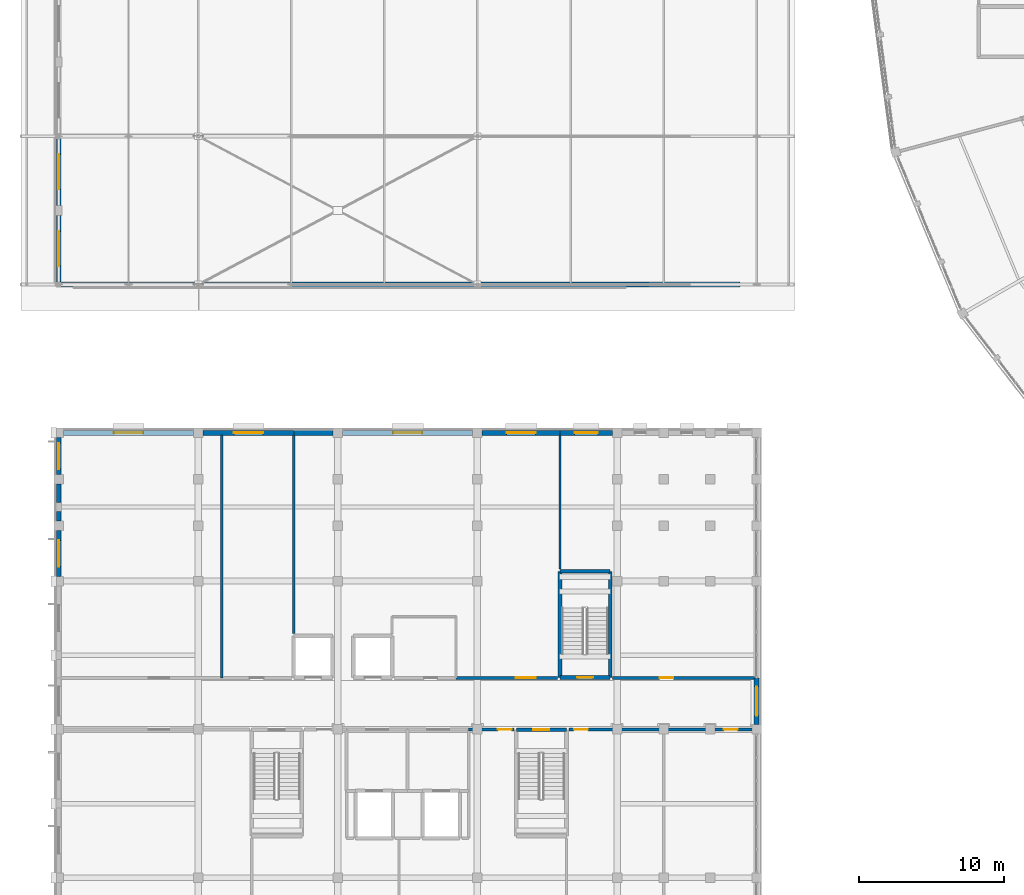
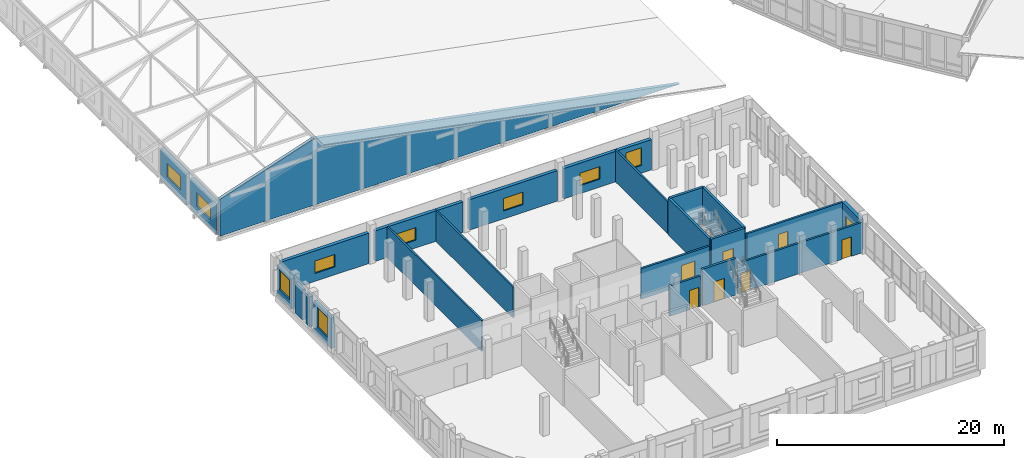
# One storey, part 179 of 200: 26 walls, 10 windows, 7 doors, 17 openings.
"""IFC4 building model written with IfcOpenShell, lengths in metres."""

from ifc_helpers import new_model, si_unit, direction, frame, frame_2d, origin, place, context, subcontext, project, spatial, polyline, rectangle, outline, extrude, material, layer, layer_set, type_object, element, fill, save


model = new_model("IFC4")

# Units and contexts
model_context = context("Model", 3, precision=1e-05, world=origin(), true_north=direction((0.0, 1.0)))
body_context = subcontext(model_context, "Body", "Model", "MODEL_VIEW")
ifc_project = project(units=[si_unit("LENGTHUNIT", "METRE"), si_unit("AREAUNIT", "SQUARE_METRE"), si_unit("VOLUMEUNIT", "CUBIC_METRE"), si_unit("PLANEANGLEUNIT", "RADIAN"), si_unit("MASSUNIT", "GRAM", prefix="KILO")], contexts=[model_context])

# Site, building, storey
site_placement = place(None, origin())
site = spatial("IfcSite", under=ifc_project, at=site_placement, CompositionType="ELEMENT")
building_placement = place(site_placement, origin())
building = spatial("IfcBuilding", under=site, at=building_placement, Name="Vondelvale Polytechnic", CompositionType="ELEMENT")
storey_placement = place(building_placement, frame((0.0, 0.0, 13.800048828125)))
storey = spatial("IfcBuildingStorey", under=building, at=storey_placement, Name="L03", CompositionType="ELEMENT", Elevation=13.800048828125)

# Wall, opening, window
ifc_material_1 = material(Name="Amsterdam School iron-spot clinker clay brickwork", Category="masonry")
ifc_layer_1 = layer(ifc_material_1, 0.340087890625)
ifc_layer_set_1 = layer_set([ifc_layer_1], Name="WL-BRICK-340")
wall_type_1 = type_object("IfcWallType", Name="WL-BRICK-340", PredefinedType="SOLIDWALL", material=ifc_layer_set_1)
wall_1_placement = place(storey_placement, frame((0.0, 51.16455078125, 0.0), z_axis=(0.0, 0.0, 1.0), x_axis=(0.0, 1.0, 0.0)))
wall_1 = element("IfcWall", 1, at=wall_1_placement, inside=storey, type_object=wall_type_1, Name="L03 exterior masonry facade wall", PredefinedType="SOLIDWALL", context=body_context, shape_type="SweptSolid", body=[
    extrude(rectangle(XDim=4.58447265625, YDim=0.340087890625, at=frame_2d((2.292236328125, 0.0))), origin(), (0.0, 0.0, 1.0), 3.370849609375),
])
opening_1_placement = place(wall_1_placement, frame((1.09228515625, 0.0, 0.949951171875)))
opening_1 = element("IfcOpeningElement", 2, at=opening_1_placement, cuts=wall_1, Name="Opening WN-0120", PredefinedType="OPENING", context=body_context, shape_type="SweptSolid", body=[
    extrude(rectangle(XDim=2.39990234375, YDim=1.5, at=frame_2d((1.199951171875, 0.75))), frame((0.0, 0.179931640625, 0.0), z_axis=(0.0, -1.0, 0.0), x_axis=(1.0, 0.0, 0.0)), (0.0, 0.0, 1.0), 0.360107421875),
])
ifc_material_2 = material(Name="Double-glazed low-E insulated architectural glass", Category="glass")
window_type_1 = type_object("IfcWindowType", Name="WN-RIB-2400x1500", PartitioningType="SINGLE_PANEL", PredefinedType="WINDOW", material=ifc_material_2)
window_1_placement = place(opening_1_placement, origin())
window_1 = element("IfcWindow", 3, at=window_1_placement, inside=storey, type_object=window_type_1, Name="L03 double-glazed architectural window WN-0120", OverallHeight=1.5, OverallWidth=2.39990234375, PartitioningType="SINGLE_PANEL", PredefinedType="WINDOW", context=body_context, shape_type="SweptSolid", body=[
    extrude(rectangle(XDim=2.39990234375, YDim=1.5, at=frame_2d((1.199951171875, 0.75))), frame((0.0, 0.030029296875, 0.0), z_axis=(0.0, -1.0, 0.0), x_axis=(1.0, 0.0, 0.0)), (0.0, 0.0, 1.0), 0.06005859375),
])
fill(opening_1, window_1)

wall_2_placement = place(storey_placement, frame((0.0, 56.450927734375, 0.0), z_axis=(0.0, 0.0, 1.0), x_axis=(0.0, 1.0, 0.0)))
wall_2 = element("IfcWall", 4, at=wall_2_placement, inside=storey, type_object=wall_type_1, Name="L03 exterior masonry facade wall", PredefinedType="SOLIDWALL", context=body_context, shape_type="SweptSolid", body=[
    extrude(rectangle(XDim=4.58447265625, YDim=0.340087890625, at=frame_2d((2.292236328125, 0.0))), origin(), (0.0, 0.0, 1.0), 3.370849609375),
])
opening_2_placement = place(wall_2_placement, frame((1.09228515625, 0.0, 0.949951171875)))
opening_2 = element("IfcOpeningElement", 5, at=opening_2_placement, cuts=wall_2, Name="Opening WN-0121", PredefinedType="OPENING", context=body_context, shape_type="SweptSolid", body=[
    extrude(rectangle(XDim=2.39990234375, YDim=1.5, at=frame_2d((1.199951171875, 0.75))), frame((0.0, 0.179931640625, 0.0), z_axis=(0.0, -1.0, 0.0), x_axis=(1.0, 0.0, 0.0)), (0.0, 0.0, 1.0), 0.360107421875),
])
window_2_placement = place(opening_2_placement, origin())
window_2 = element("IfcWindow", 6, at=window_2_placement, inside=storey, type_object=window_type_1, Name="L03 double-glazed architectural window WN-0121", OverallHeight=1.5, OverallWidth=2.39990234375, PartitioningType="SINGLE_PANEL", PredefinedType="WINDOW", context=body_context, shape_type="SweptSolid", body=[
    extrude(rectangle(XDim=2.39990234375, YDim=1.5, at=frame_2d((1.199951171875, 0.75))), frame((0.0, 0.030029296875, 0.0), z_axis=(0.0, -1.0, 0.0), x_axis=(1.0, 0.0, 0.0)), (0.0, 0.0, 1.0), 0.06005859375),
])
fill(opening_2, window_2)

wall_3_placement = place(storey_placement, frame((0.0, 30.926025390625, 0.0), z_axis=(0.0, 0.0, 1.0), x_axis=(0.0, 1.0, 0.0)))
wall_3 = element("IfcWall", 7, at=wall_3_placement, inside=storey, type_object=wall_type_1, Name="L03 exterior masonry facade wall", PredefinedType="SOLIDWALL", context=body_context, shape_type="SweptSolid", body=[
    extrude(rectangle(XDim=3.14794921875, YDim=0.340087890625, at=frame_2d((1.573974609375, 0.0))), origin(), (0.0, 0.0, 1.0), 3.280029296875),
])
opening_3_placement = place(wall_3_placement, frame((0.674072265625, 0.0, 0.85009765625)))
opening_3 = element("IfcOpeningElement", 8, at=opening_3_placement, cuts=wall_3, Name="Opening WN-0220", PredefinedType="OPENING", context=body_context, shape_type="SweptSolid", body=[
    extrude(rectangle(XDim=1.800048828125, YDim=2.10009765625, at=frame_2d((0.89990234375, 1.050048828125))), frame((0.0, 0.179931640625, 0.0), z_axis=(0.0, -1.0, 0.0), x_axis=(1.0, 0.0, 0.0)), (0.0, 0.0, 1.0), 0.360107421875),
])
window_type_2 = type_object("IfcWindowType", Name="WN-LAB-1800x2100", PartitioningType="SINGLE_PANEL", PredefinedType="WINDOW", material=ifc_material_2)
window_3_placement = place(opening_3_placement, origin())
window_3 = element("IfcWindow", 9, at=window_3_placement, inside=storey, type_object=window_type_2, Name="L03 double-glazed architectural window WN-0220", OverallHeight=2.10009765625, OverallWidth=1.800048828125, PartitioningType="SINGLE_PANEL", PredefinedType="WINDOW", context=body_context, shape_type="SweptSolid", body=[
    extrude(rectangle(XDim=1.800048828125, YDim=2.10009765625, at=frame_2d((0.89990234375, 1.050048828125))), frame((0.0, 0.030029296875, 0.0), z_axis=(0.0, -1.0, 0.0), x_axis=(1.0, 0.0, 0.0)), (0.0, 0.0, 1.0), 0.06005859375),
])
fill(opening_3, window_3)

# Walls
wall_4_placement = place(storey_placement, frame((0.0, 34.72607421875, 0.0), z_axis=(0.0, 0.0, 1.0), x_axis=(0.0, 1.0, 0.0)))
element("IfcWall", 10, at=wall_4_placement, inside=storey, type_object=wall_type_1, Name="L03 exterior masonry facade wall", PredefinedType="SOLIDWALL", context=body_context, shape_type="SweptSolid", body=[
    extrude(rectangle(XDim=0.6728515625, YDim=0.340087890625, at=frame_2d((0.33642578125, 0.0))), origin(), (0.0, 0.0, 1.0), 3.280029296875),
])
wall_5_placement = place(storey_placement, frame((0.0, 36.0009765625, 0.0), z_axis=(0.0, 0.0, 1.0), x_axis=(0.0, 1.0, 0.0)))
element("IfcWall", 11, at=wall_5_placement, inside=storey, type_object=wall_type_1, Name="L03 exterior masonry facade wall", PredefinedType="SOLIDWALL", context=body_context, shape_type="SweptSolid", body=[
    extrude(rectangle(XDim=1.27294921875, YDim=0.340087890625, at=frame_2d((0.636474609375, 0.0))), origin(), (0.0, 0.0, 1.0), 3.280029296875),
])

# Wall, opening, window
wall_6_placement = place(storey_placement, frame((0.0, 37.926025390625, 0.0), z_axis=(0.0, 0.0, 1.0), x_axis=(0.0, 1.0, 0.0)))
wall_6 = element("IfcWall", 12, at=wall_6_placement, inside=storey, type_object=wall_type_1, Name="L03 exterior masonry facade wall", PredefinedType="SOLIDWALL", context=body_context, shape_type="SweptSolid", body=[
    extrude(rectangle(XDim=2.548095703125, YDim=0.340087890625, at=frame_2d((1.27392578125, 0.0))), origin(), (0.0, 0.0, 1.0), 3.280029296875),
])
opening_4_placement = place(wall_6_placement, frame((0.3740234375, 0.0, 0.85009765625)))
opening_4 = element("IfcOpeningElement", 13, at=opening_4_placement, cuts=wall_6, Name="Opening WN-0221", PredefinedType="OPENING", context=body_context, shape_type="SweptSolid", body=[
    extrude(rectangle(XDim=1.800048828125, YDim=2.10009765625, at=frame_2d((0.89990234375, 1.050048828125))), frame((0.0, 0.179931640625, 0.0), z_axis=(0.0, -1.0, 0.0), x_axis=(1.0, 0.0, 0.0)), (0.0, 0.0, 1.0), 0.360107421875),
])
window_4_placement = place(opening_4_placement, origin())
window_4 = element("IfcWindow", 14, at=window_4_placement, inside=storey, type_object=window_type_2, Name="L03 double-glazed architectural window WN-0221", OverallHeight=2.10009765625, OverallWidth=1.800048828125, PartitioningType="SINGLE_PANEL", PredefinedType="WINDOW", context=body_context, shape_type="SweptSolid", body=[
    extrude(rectangle(XDim=1.800048828125, YDim=2.10009765625, at=frame_2d((0.89990234375, 1.050048828125))), frame((0.0, 0.030029296875, 0.0), z_axis=(0.0, -1.0, 0.0), x_axis=(1.0, 0.0, 0.0)), (0.0, 0.0, 1.0), 0.06005859375),
])
fill(opening_4, window_4)

wall_7_placement = place(storey_placement, frame((48.0, 23.949951171875, 0.0), z_axis=(0.0, 0.0, 1.0), x_axis=(0.0, -1.0, 0.0)))
wall_7 = element("IfcWall", 15, at=wall_7_placement, inside=storey, type_object=wall_type_1, Name="L03 exterior masonry facade wall", PredefinedType="SOLIDWALL", context=body_context, shape_type="SweptSolid", body=[
    extrude(rectangle(XDim=3.223876953125, YDim=0.340087890625, at=frame_2d((1.61181640625, 0.0))), origin(), (0.0, 0.0, 1.0), 3.280029296875),
])
opening_5_placement = place(wall_7_placement, frame((0.612060546875, 0.0, 0.75)))
opening_5 = element("IfcOpeningElement", 16, at=opening_5_placement, cuts=wall_7, Name="Opening WN-0222", PredefinedType="OPENING", context=body_context, shape_type="SweptSolid", body=[
    extrude(rectangle(XDim=2.0, YDim=1.35009765625, at=frame_2d((1.0, 0.675048828125))), frame((0.0, 0.179931640625, 0.0), z_axis=(0.0, -1.0, 0.0), x_axis=(1.0, 0.0, 0.0)), (0.0, 0.0, 1.0), 0.360107421875),
])
window_type_3 = type_object("IfcWindowType", Name="WN-RIB-2000x1350", PartitioningType="SINGLE_PANEL", PredefinedType="WINDOW", material=ifc_material_2)
window_5_placement = place(opening_5_placement, origin())
window_5 = element("IfcWindow", 17, at=window_5_placement, inside=storey, type_object=window_type_3, Name="L03 double-glazed architectural window WN-0222", OverallHeight=1.35009765625, OverallWidth=2.0, PartitioningType="SINGLE_PANEL", PredefinedType="WINDOW", context=body_context, shape_type="SweptSolid", body=[
    extrude(rectangle(XDim=2.0, YDim=1.35009765625, at=frame_2d((1.0, 0.675048828125))), frame((0.0, 0.030029296875, 0.0), z_axis=(0.0, -1.0, 0.0), x_axis=(1.0, 0.0, 0.0)), (0.0, 0.0, 1.0), 0.06005859375),
])
fill(opening_5, window_5)

wall_8_placement = place(storey_placement, frame((0.325927734375, 40.800048828125, 0.0), z_axis=(0.0, 0.0, 1.0), x_axis=(1.0, 0.0, 0.0)))
wall_8 = element("IfcWall", 18, at=wall_8_placement, inside=storey, type_object=wall_type_1, Name="L03 exterior masonry facade wall", PredefinedType="SOLIDWALL", context=body_context, shape_type="SweptSolid", body=[
    extrude(rectangle(XDim=8.947998046875, YDim=0.340087890625, at=frame_2d((4.47412109375, 0.0))), origin(), (0.0, 0.0, 1.0), 3.280029296875),
])
opening_6_placement = place(wall_8_placement, frame((3.47412109375, 0.0, 0.85009765625)))
opening_6 = element("IfcOpeningElement", 19, at=opening_6_placement, cuts=wall_8, Name="Opening WN-0223", PredefinedType="OPENING", context=body_context, shape_type="SweptSolid", body=[
    extrude(rectangle(XDim=2.0, YDim=1.35009765625, at=frame_2d((1.0, 0.675048828125))), frame((0.0, 0.179931640625, 0.0), z_axis=(0.0, -1.0, 0.0), x_axis=(1.0, 0.0, 0.0)), (0.0, 0.0, 1.0), 0.360107421875),
])
window_6_placement = place(opening_6_placement, origin())
window_6 = element("IfcWindow", 20, at=window_6_placement, inside=storey, type_object=window_type_3, Name="L03 double-glazed architectural window WN-0223", OverallHeight=1.35009765625, OverallWidth=2.0, PartitioningType="SINGLE_PANEL", PredefinedType="WINDOW", context=body_context, shape_type="SweptSolid", body=[
    extrude(rectangle(XDim=2.0, YDim=1.35009765625, at=frame_2d((1.0, 0.675048828125))), frame((0.0, 0.030029296875, 0.0), z_axis=(0.0, -1.0, 0.0), x_axis=(1.0, 0.0, 0.0)), (0.0, 0.0, 1.0), 0.06005859375),
])
fill(opening_6, window_6)

wall_9_placement = place(storey_placement, frame((9.926025390625, 40.800048828125, 0.0), z_axis=(0.0, 0.0, 1.0), x_axis=(1.0, 0.0, 0.0)))
wall_9 = element("IfcWall", 21, at=wall_9_placement, inside=storey, type_object=wall_type_1, Name="L03 exterior masonry facade wall", PredefinedType="SOLIDWALL", context=body_context, shape_type="SweptSolid", body=[
    extrude(rectangle(XDim=6.2490234375, YDim=0.340087890625, at=frame_2d((3.12451171875, 0.0))), origin(), (0.0, 0.0, 1.0), 3.280029296875),
])
opening_7_placement = place(wall_9_placement, frame((2.12451171875, 0.0, 0.85009765625)))
opening_7 = element("IfcOpeningElement", 22, at=opening_7_placement, cuts=wall_9, Name="Opening WN-0224", PredefinedType="OPENING", context=body_context, shape_type="SweptSolid", body=[
    extrude(rectangle(XDim=2.0, YDim=1.35009765625, at=frame_2d((1.0, 0.675048828125))), frame((0.0, 0.179931640625, 0.0), z_axis=(0.0, -1.0, 0.0), x_axis=(1.0, 0.0, 0.0)), (0.0, 0.0, 1.0), 0.360107421875),
])
window_7_placement = place(opening_7_placement, origin())
window_7 = element("IfcWindow", 23, at=window_7_placement, inside=storey, type_object=window_type_3, Name="L03 double-glazed architectural window WN-0224", OverallHeight=1.35009765625, OverallWidth=2.0, PartitioningType="SINGLE_PANEL", PredefinedType="WINDOW", context=body_context, shape_type="SweptSolid", body=[
    extrude(rectangle(XDim=2.0, YDim=1.35009765625, at=frame_2d((1.0, 0.675048828125))), frame((0.0, 0.030029296875, 0.0), z_axis=(0.0, -1.0, 0.0), x_axis=(1.0, 0.0, 0.0)), (0.0, 0.0, 1.0), 0.06005859375),
])
fill(opening_7, window_7)

# Wall
wall_10_placement = place(storey_placement, frame((16.175048828125, 40.800048828125, 0.0), z_axis=(0.0, 0.0, 1.0), x_axis=(1.0, 0.0, 0.0)))
element("IfcWall", 24, at=wall_10_placement, inside=storey, type_object=wall_type_1, Name="L03 exterior masonry facade wall", PredefinedType="SOLIDWALL", context=body_context, shape_type="SweptSolid", body=[
    extrude(rectangle(XDim=2.698974609375, YDim=0.340087890625, at=frame_2d((1.349609375, 0.0))), origin(), (0.0, 0.0, 1.0), 3.280029296875),
])

# Wall, opening, window
wall_11_placement = place(storey_placement, frame((19.52587890625, 40.800048828125, 0.0), z_axis=(0.0, 0.0, 1.0), x_axis=(1.0, 0.0, 0.0)))
wall_11 = element("IfcWall", 25, at=wall_11_placement, inside=storey, type_object=wall_type_1, Name="L03 exterior masonry facade wall", PredefinedType="SOLIDWALL", context=body_context, shape_type="SweptSolid", body=[
    extrude(rectangle(XDim=8.9482421875, YDim=0.340087890625, at=frame_2d((4.47412109375, 0.0))), origin(), (0.0, 0.0, 1.0), 3.280029296875),
])
opening_8_placement = place(wall_11_placement, frame((3.47412109375, 0.0, 0.85009765625)))
opening_8 = element("IfcOpeningElement", 26, at=opening_8_placement, cuts=wall_11, Name="Opening WN-0225", PredefinedType="OPENING", context=body_context, shape_type="SweptSolid", body=[
    extrude(rectangle(XDim=2.0, YDim=1.35009765625, at=frame_2d((1.0, 0.675048828125))), frame((0.0, 0.179931640625, 0.0), z_axis=(0.0, -1.0, 0.0), x_axis=(1.0, 0.0, 0.0)), (0.0, 0.0, 1.0), 0.360107421875),
])
window_8_placement = place(opening_8_placement, origin())
window_8 = element("IfcWindow", 27, at=window_8_placement, inside=storey, type_object=window_type_3, Name="L03 double-glazed architectural window WN-0225", OverallHeight=1.35009765625, OverallWidth=2.0, PartitioningType="SINGLE_PANEL", PredefinedType="WINDOW", context=body_context, shape_type="SweptSolid", body=[
    extrude(rectangle(XDim=2.0, YDim=1.35009765625, at=frame_2d((1.0, 0.675048828125))), frame((0.0, 0.030029296875, 0.0), z_axis=(0.0, -1.0, 0.0), x_axis=(1.0, 0.0, 0.0)), (0.0, 0.0, 1.0), 0.06005859375),
])
fill(opening_8, window_8)

wall_12_placement = place(storey_placement, frame((29.1259765625, 40.800048828125, 0.0), z_axis=(0.0, 0.0, 1.0), x_axis=(1.0, 0.0, 0.0)))
wall_12 = element("IfcWall", 28, at=wall_12_placement, inside=storey, type_object=wall_type_1, Name="L03 exterior masonry facade wall", PredefinedType="SOLIDWALL", context=body_context, shape_type="SweptSolid", body=[
    extrude(rectangle(XDim=5.34912109375, YDim=0.340087890625, at=frame_2d((2.674560546875, 0.0))), origin(), (0.0, 0.0, 1.0), 3.280029296875),
])
opening_9_placement = place(wall_12_placement, frame((1.674560546875, 0.0, 0.85009765625)))
opening_9 = element("IfcOpeningElement", 29, at=opening_9_placement, cuts=wall_12, Name="Opening WN-0226", PredefinedType="OPENING", context=body_context, shape_type="SweptSolid", body=[
    extrude(rectangle(XDim=2.0, YDim=1.35009765625, at=frame_2d((1.0, 0.675048828125))), frame((0.0, 0.179931640625, 0.0), z_axis=(0.0, -1.0, 0.0), x_axis=(1.0, 0.0, 0.0)), (0.0, 0.0, 1.0), 0.360107421875),
])
window_9_placement = place(opening_9_placement, origin())
window_9 = element("IfcWindow", 30, at=window_9_placement, inside=storey, type_object=window_type_3, Name="L03 double-glazed architectural window WN-0226", OverallHeight=1.35009765625, OverallWidth=2.0, PartitioningType="SINGLE_PANEL", PredefinedType="WINDOW", context=body_context, shape_type="SweptSolid", body=[
    extrude(rectangle(XDim=2.0, YDim=1.35009765625, at=frame_2d((1.0, 0.675048828125))), frame((0.0, 0.030029296875, 0.0), z_axis=(0.0, -1.0, 0.0), x_axis=(1.0, 0.0, 0.0)), (0.0, 0.0, 1.0), 0.06005859375),
])
fill(opening_9, window_9)

wall_13_placement = place(storey_placement, frame((34.47509765625, 40.800048828125, 0.0), z_axis=(0.0, 0.0, 1.0), x_axis=(1.0, 0.0, 0.0)))
wall_13 = element("IfcWall", 31, at=wall_13_placement, inside=storey, type_object=wall_type_1, Name="L03 exterior masonry facade wall", PredefinedType="SOLIDWALL", context=body_context, shape_type="SweptSolid", body=[
    extrude(rectangle(XDim=3.598876953125, YDim=0.340087890625, at=frame_2d((1.79931640625, 0.0))), origin(), (0.0, 0.0, 1.0), 3.280029296875),
])
opening_10_placement = place(wall_13_placement, frame((0.99951171875, 0.0, 0.85009765625)))
opening_10 = element("IfcOpeningElement", 32, at=opening_10_placement, cuts=wall_13, Name="Opening WN-0227", PredefinedType="OPENING", context=body_context, shape_type="SweptSolid", body=[
    extrude(rectangle(XDim=1.60009765625, YDim=1.89990234375, at=frame_2d((0.800048828125, 0.949951171875))), frame((0.0, 0.179931640625, 0.0), z_axis=(0.0, -1.0, 0.0), x_axis=(1.0, 0.0, 0.0)), (0.0, 0.0, 1.0), 0.360107421875),
])
window_type_4 = type_object("IfcWindowType", Name="WN-SEM-1600x1900", PartitioningType="SINGLE_PANEL", PredefinedType="WINDOW", material=ifc_material_2)
window_10_placement = place(opening_10_placement, origin())
window_10 = element("IfcWindow", 33, at=window_10_placement, inside=storey, type_object=window_type_4, Name="L03 double-glazed architectural window WN-0227", OverallHeight=1.89990234375, OverallWidth=1.60009765625, PartitioningType="SINGLE_PANEL", PredefinedType="WINDOW", context=body_context, shape_type="SweptSolid", body=[
    extrude(rectangle(XDim=1.60009765625, YDim=1.89990234375, at=frame_2d((0.800048828125, 0.949951171875))), frame((0.0, 0.030029296875, 0.0), z_axis=(0.0, -1.0, 0.0), x_axis=(1.0, 0.0, 0.0)), (0.0, 0.0, 1.0), 0.06005859375),
])
fill(opening_10, window_10)

# Wall
ifc_layer_2 = layer(ifc_material_1, 0.35009765625)
ifc_layer_set_2 = layer_set([ifc_layer_2], Name="WL-BRICK-350")
wall_type_2 = type_object("IfcWallType", Name="WL-BRICK-350", PredefinedType="SOLIDWALL", material=ifc_layer_set_2)
wall_14_placement = place(storey_placement, frame((0.0, 51.0, 0.0), z_axis=(0.0, 0.0, 1.0), x_axis=(1.0, 0.0, 0.0)))
element("IfcWall", 34, at=wall_14_placement, inside=storey, type_object=wall_type_2, Name="L03 Workshop Amsterdam School brick gable wall S", PredefinedType="SOLIDWALL", context=body_context, shape_type="SweptSolid", body=[
    extrude(outline(polyline([(0.0, 0.0), (48.0, 0.0), (48.0, -0.2236328125), (38.39990234375, 1.626220703125), (28.800048828125, 3.476318359375), (19.199951171875, 5.326171875), (9.60009765625, 7.169189453125), (0.0, 3.96923828125), (0.0, 0.0)])), frame((0.0, 0.175048828125, 0.0), z_axis=(0.0, -1.0, 0.0), x_axis=(1.0, 0.0, 0.0)), (0.0, 0.0, 1.0), 0.35009765625),
])

# Wall, opening, door
ifc_material_3 = material(Name="Concrete N40 (f'c = 40 MPa)", Category="concrete")
ifc_layer_3 = layer(ifc_material_3, 0.25)
ifc_layer_set_3 = layer_set([ifc_layer_3], Name="WL-CORE-250")
wall_type_3 = type_object("IfcWallType", Name="WL-CORE-250", PredefinedType="SOLIDWALL", material=ifc_layer_set_3)
wall_15_placement = place(storey_placement, frame((34.925048828125, 20.375, 0.0), z_axis=(0.0, 0.0, 1.0), x_axis=(-1.0, 0.0, 0.0)))
wall_15 = element("IfcWall", 35, at=wall_15_placement, inside=storey, type_object=wall_type_3, Name="L03 ST-04 reinforced concrete stair core wall", PredefinedType="SOLIDWALL", context=body_context, shape_type="SweptSolid", body=[
    extrude(rectangle(XDim=3.449951171875, YDim=0.25, at=frame_2d((1.72509765625, 0.0))), origin(), (0.0, 0.0, 1.0), 3.949951171875),
])
opening_11_placement = place(wall_15_placement, frame((1.175048828125, 0.0, 0.0)))
opening_11 = element("IfcOpeningElement", 36, at=opening_11_placement, cuts=wall_15, Name="Opening SD-022", PredefinedType="OPENING", context=body_context, shape_type="SweptSolid", body=[
    extrude(rectangle(XDim=1.10009765625, YDim=2.199951171875, at=frame_2d((0.550048828125, 1.10009765625))), frame((0.0, 0.135009765625, 0.0), z_axis=(0.0, -1.0, 0.0), x_axis=(1.0, 0.0, 0.0)), (0.0, 0.0, 1.0), 0.27001953125),
])
ifc_material_4 = material(Name="Brushed architectural stainless and zinc-coated metal")
door_type_1 = type_object("IfcDoorType", Name="DR-STAIR-1100x2200", OperationType="SINGLE_SWING_LEFT", PredefinedType="DOOR", material=ifc_material_4)
door_1_placement = place(opening_11_placement, origin())
door_1 = element("IfcDoor", 37, at=door_1_placement, inside=storey, type_object=door_type_1, Name="L03 ST-04 fire-isolated stair door", OperationType="SINGLE_SWING_RIGHT", OverallHeight=2.199951171875, OverallWidth=1.10009765625, PredefinedType="DOOR", context=body_context, shape_type="SweptSolid", body=[
    extrude(rectangle(XDim=1.10009765625, YDim=2.199951171875, at=frame_2d((0.550048828125, 1.10009765625))), frame((0.0, 0.02490234375, 0.0), z_axis=(0.0, -1.0, 0.0), x_axis=(1.0, 0.0, 0.0)), (0.0, 0.0, 1.0), 0.050048828125),
])
fill(opening_11, door_1)

# Walls
wall_16_placement = place(storey_placement, frame((37.925048828125, 23.97509765625, 0.0), z_axis=(0.0, 0.0, 1.0), x_axis=(0.0, 1.0, 0.0)))
element("IfcWall", 38, at=wall_16_placement, inside=storey, type_object=wall_type_3, Name="L03 ST-05 reinforced concrete stair core wall", PredefinedType="SOLIDWALL", context=body_context, shape_type="SweptSolid", body=[
    extrude(rectangle(XDim=7.2998046875, YDim=0.25, at=frame_2d((3.64990234375, 0.0))), origin(), (0.0, 0.0, 1.0), 3.949951171875),
])
wall_17_placement = place(storey_placement, frame((37.925048828125, 31.27490234375, 0.0), z_axis=(0.0, 0.0, 1.0), x_axis=(-1.0, 0.0, 0.0)))
element("IfcWall", 39, at=wall_17_placement, inside=storey, type_object=wall_type_3, Name="L03 ST-05 reinforced concrete stair core wall", PredefinedType="SOLIDWALL", context=body_context, shape_type="SweptSolid", body=[
    extrude(rectangle(XDim=3.449951171875, YDim=0.25, at=frame_2d((1.72509765625, 0.0))), origin(), (0.0, 0.0, 1.0), 3.949951171875),
])
wall_18_placement = place(storey_placement, frame((34.47509765625, 31.27490234375, 0.0), z_axis=(0.0, 0.0, 1.0), x_axis=(0.0, -1.0, 0.0)))
element("IfcWall", 40, at=wall_18_placement, inside=storey, type_object=wall_type_3, Name="L03 ST-05 reinforced concrete stair core wall", PredefinedType="SOLIDWALL", context=body_context, shape_type="SweptSolid", body=[
    extrude(rectangle(XDim=7.2998046875, YDim=0.25, at=frame_2d((3.64990234375, 0.0))), origin(), (0.0, 0.0, 1.0), 3.949951171875),
])

# Wall, opening, door
wall_19_placement = place(storey_placement, frame((34.47509765625, 23.97509765625, 0.0), z_axis=(0.0, 0.0, 1.0), x_axis=(1.0, 0.0, 0.0)))
wall_19 = element("IfcWall", 41, at=wall_19_placement, inside=storey, type_object=wall_type_3, Name="L03 ST-05 reinforced concrete stair core wall", PredefinedType="SOLIDWALL", context=body_context, shape_type="SweptSolid", body=[
    extrude(rectangle(XDim=3.449951171875, YDim=0.25, at=frame_2d((1.72509765625, 0.0))), origin(), (0.0, 0.0, 1.0), 3.949951171875),
])
opening_12_placement = place(wall_19_placement, frame((1.175048828125, 0.0, 0.0)))
opening_12 = element("IfcOpeningElement", 42, at=opening_12_placement, cuts=wall_19, Name="Opening SD-031", PredefinedType="OPENING", context=body_context, shape_type="SweptSolid", body=[
    extrude(rectangle(XDim=1.10009765625, YDim=2.199951171875, at=frame_2d((0.550048828125, 1.10009765625))), frame((0.0, 0.135009765625, 0.0), z_axis=(0.0, -1.0, 0.0), x_axis=(1.0, 0.0, 0.0)), (0.0, 0.0, 1.0), 0.27001953125),
])
door_2_placement = place(opening_12_placement, origin())
door_2 = element("IfcDoor", 43, at=door_2_placement, inside=storey, type_object=door_type_1, Name="L03 ST-05 fire-isolated stair door", OperationType="SINGLE_SWING_LEFT", OverallHeight=2.199951171875, OverallWidth=1.10009765625, PredefinedType="DOOR", context=body_context, shape_type="SweptSolid", body=[
    extrude(rectangle(XDim=1.10009765625, YDim=2.199951171875, at=frame_2d((0.550048828125, 1.10009765625))), frame((0.0, 0.02490234375, 0.0), z_axis=(0.0, -1.0, 0.0), x_axis=(1.0, 0.0, 0.0)), (0.0, 0.0, 1.0), 0.050048828125),
])
fill(opening_12, door_2)

ifc_material_5 = material(Name="Fire-rated double-layer plasterboard stud partition")
ifc_layer_4 = layer(ifc_material_5, 0.199951171875)
ifc_layer_set_4 = layer_set([ifc_layer_4], Name="WL-CORR-200")
wall_type_4 = type_object("IfcWallType", Name="WL-CORR-200", PredefinedType="PARTITIONING", material=ifc_layer_set_4)
wall_20_placement = place(storey_placement, frame((28.199951171875, 20.39990234375, 0.0), z_axis=(0.0, 0.0, 1.0), x_axis=(1.0, 0.0, 0.0)))
wall_20 = element("IfcWall", 44, at=wall_20_placement, inside=storey, type_object=wall_type_4, Name="L03 interior acoustic partition", PredefinedType="PARTITIONING", context=body_context, shape_type="SweptSolid", body=[
    extrude(rectangle(XDim=3.110107421875, YDim=0.199951171875, at=frame_2d((1.55517578125, 0.0))), origin(), (0.0, 0.0, 1.0), 3.280029296875),
])
opening_13_placement = place(wall_20_placement, frame((2.0, 0.0, 0.0)))
opening_13 = element("IfcOpeningElement", 45, at=opening_13_placement, cuts=wall_20, Name="Opening ID-0169", PredefinedType="OPENING", context=body_context, shape_type="SweptSolid", body=[
    extrude(rectangle(XDim=0.949951171875, YDim=2.10009765625, at=frame_2d((0.47509765625, 1.050048828125))), frame((0.0, 0.10986328125, 0.0), z_axis=(0.0, -1.0, 0.0), x_axis=(1.0, 0.0, 0.0)), (0.0, 0.0, 1.0), 0.219970703125),
])
ifc_material_6 = material(Name="Fire-rated solid Tasmanian oak joinery")
door_type_2 = type_object("IfcDoorType", Name="DR-INT-0950x2100", OperationType="SINGLE_SWING_LEFT", PredefinedType="DOOR", material=ifc_material_6)
door_3_placement = place(opening_13_placement, origin())
door_3 = element("IfcDoor", 46, at=door_3_placement, inside=storey, type_object=door_type_2, Name="L03 interior room door ID-0169", OperationType="SINGLE_SWING_LEFT", OverallHeight=2.10009765625, OverallWidth=0.949951171875, PredefinedType="DOOR", context=body_context, shape_type="SweptSolid", body=[
    extrude(rectangle(XDim=0.949951171875, YDim=2.10009765625, at=frame_2d((0.47509765625, 1.050048828125))), frame((0.0, 0.02490234375, 0.0), z_axis=(0.0, -1.0, 0.0), x_axis=(1.0, 0.0, 0.0)), (0.0, 0.0, 1.0), 0.050048828125),
])
fill(opening_13, door_3)

# Wall, openings, doors
wall_21_placement = place(storey_placement, frame((35.090087890625, 20.39990234375, 0.0), z_axis=(0.0, 0.0, 1.0), x_axis=(1.0, 0.0, 0.0)))
wall_21 = element("IfcWall", 47, at=wall_21_placement, inside=storey, type_object=wall_type_4, Name="L03 interior acoustic partition", PredefinedType="PARTITIONING", context=body_context, shape_type="SweptSolid", body=[
    extrude(rectangle(XDim=12.760009765625, YDim=0.199951171875, at=frame_2d((6.3798828125, 0.0))), origin(), (0.0, 0.0, 1.0), 3.280029296875),
])
opening_14_placement = place(wall_21_placement, frame((0.35498046875, 0.0, 0.0)))
opening_14 = element("IfcOpeningElement", 48, at=opening_14_placement, cuts=wall_21, Name="Opening ID-0170", PredefinedType="OPENING", context=body_context, shape_type="SweptSolid", body=[
    extrude(rectangle(XDim=0.949951171875, YDim=2.10009765625, at=frame_2d((0.47509765625, 1.050048828125))), frame((0.0, 0.10986328125, 0.0), z_axis=(0.0, -1.0, 0.0), x_axis=(1.0, 0.0, 0.0)), (0.0, 0.0, 1.0), 0.219970703125),
])
opening_15_placement = place(wall_21_placement, frame((10.659912109375, 0.0, 0.0)))
opening_15 = element("IfcOpeningElement", 49, at=opening_15_placement, cuts=wall_21, Name="Opening ID-0171", PredefinedType="OPENING", context=body_context, shape_type="SweptSolid", body=[
    extrude(rectangle(XDim=0.949951171875, YDim=2.10009765625, at=frame_2d((0.47509765625, 1.050048828125))), frame((0.0, 0.10986328125, 0.0), z_axis=(0.0, -1.0, 0.0), x_axis=(1.0, 0.0, 0.0)), (0.0, 0.0, 1.0), 0.219970703125),
])
door_4_placement = place(opening_14_placement, origin())
door_4 = element("IfcDoor", 50, at=door_4_placement, inside=storey, type_object=door_type_2, Name="L03 interior room door ID-0170", OperationType="SINGLE_SWING_RIGHT", OverallHeight=2.10009765625, OverallWidth=0.949951171875, PredefinedType="DOOR", context=body_context, shape_type="SweptSolid", body=[
    extrude(rectangle(XDim=0.949951171875, YDim=2.10009765625, at=frame_2d((0.47509765625, 1.050048828125))), frame((0.0, 0.02490234375, 0.0), z_axis=(0.0, -1.0, 0.0), x_axis=(1.0, 0.0, 0.0)), (0.0, 0.0, 1.0), 0.050048828125),
])
fill(opening_14, door_4)
door_5_placement = place(opening_15_placement, origin())
door_5 = element("IfcDoor", 51, at=door_5_placement, inside=storey, type_object=door_type_2, Name="L03 interior room door ID-0171", OperationType="SINGLE_SWING_LEFT", OverallHeight=2.10009765625, OverallWidth=0.949951171875, PredefinedType="DOOR", context=body_context, shape_type="SweptSolid", body=[
    extrude(rectangle(XDim=0.949951171875, YDim=2.10009765625, at=frame_2d((0.47509765625, 1.050048828125))), frame((0.0, 0.02490234375, 0.0), z_axis=(0.0, -1.0, 0.0), x_axis=(1.0, 0.0, 0.0)), (0.0, 0.0, 1.0), 0.050048828125),
])
fill(opening_15, door_5)

# Wall, opening, door
wall_22_placement = place(storey_placement, frame((27.324951171875, 23.949951171875, 0.0), z_axis=(0.0, 0.0, 1.0), x_axis=(1.0, 0.0, 0.0)))
wall_22 = element("IfcWall", 52, at=wall_22_placement, inside=storey, type_object=wall_type_4, Name="L03 interior acoustic partition", PredefinedType="PARTITIONING", context=body_context, shape_type="SweptSolid", body=[
    extrude(rectangle(XDim=6.985107421875, YDim=0.199951171875, at=frame_2d((3.49267578125, 0.0))), origin(), (0.0, 0.0, 1.0), 3.280029296875),
])
opening_16_placement = place(wall_22_placement, frame((4.10009765625, 0.0, 0.0)))
opening_16 = element("IfcOpeningElement", 53, at=opening_16_placement, cuts=wall_22, Name="Opening ID-0175", PredefinedType="OPENING", context=body_context, shape_type="SweptSolid", body=[
    extrude(rectangle(XDim=1.39990234375, YDim=2.199951171875, at=frame_2d((0.699951171875, 1.10009765625))), frame((0.0, 0.10986328125, 0.0), z_axis=(0.0, -1.0, 0.0), x_axis=(1.0, 0.0, 0.0)), (0.0, 0.0, 1.0), 0.219970703125),
])
door_type_3 = type_object("IfcDoorType", Name="DR-LAB-1400x2200", OperationType="DOUBLE_DOOR_SINGLE_SWING", PredefinedType="DOOR", material=ifc_material_6)
door_6_placement = place(opening_16_placement, origin())
door_6 = element("IfcDoor", 54, at=door_6_placement, inside=storey, type_object=door_type_3, Name="L03 interior room door ID-0175", OperationType="DOUBLE_DOOR_SINGLE_SWING", OverallHeight=2.199951171875, OverallWidth=1.39990234375, PredefinedType="DOOR", context=body_context, shape_type="SweptSolid", body=[
    extrude(rectangle(XDim=1.39990234375, YDim=2.199951171875, at=frame_2d((0.699951171875, 1.10009765625))), frame((0.0, 0.02490234375, 0.0), z_axis=(0.0, -1.0, 0.0), x_axis=(1.0, 0.0, 0.0)), (0.0, 0.0, 1.0), 0.050048828125),
])
fill(opening_16, door_6)

wall_23_placement = place(storey_placement, frame((38.090087890625, 23.949951171875, 0.0), z_axis=(0.0, 0.0, 1.0), x_axis=(1.0, 0.0, 0.0)))
wall_23 = element("IfcWall", 55, at=wall_23_placement, inside=storey, type_object=wall_type_4, Name="L03 interior acoustic partition", PredefinedType="PARTITIONING", context=body_context, shape_type="SweptSolid", body=[
    extrude(rectangle(XDim=9.760009765625, YDim=0.199951171875, at=frame_2d((4.8798828125, 0.0))), origin(), (0.0, 0.0, 1.0), 3.280029296875),
])
opening_17_placement = place(wall_23_placement, frame((3.235107421875, 0.0, 0.0)))
opening_17 = element("IfcOpeningElement", 56, at=opening_17_placement, cuts=wall_23, Name="Opening ID-0176", PredefinedType="OPENING", context=body_context, shape_type="SweptSolid", body=[
    extrude(rectangle(XDim=0.949951171875, YDim=2.10009765625, at=frame_2d((0.47509765625, 1.050048828125))), frame((0.0, 0.10986328125, 0.0), z_axis=(0.0, -1.0, 0.0), x_axis=(1.0, 0.0, 0.0)), (0.0, 0.0, 1.0), 0.219970703125),
])
door_7_placement = place(opening_17_placement, origin())
door_7 = element("IfcDoor", 57, at=door_7_placement, inside=storey, type_object=door_type_2, Name="L03 interior room door ID-0176", OperationType="SINGLE_SWING_RIGHT", OverallHeight=2.10009765625, OverallWidth=0.949951171875, PredefinedType="DOOR", context=body_context, shape_type="SweptSolid", body=[
    extrude(rectangle(XDim=0.949951171875, YDim=2.10009765625, at=frame_2d((0.47509765625, 1.050048828125))), frame((0.0, 0.02490234375, 0.0), z_axis=(0.0, -1.0, 0.0), x_axis=(1.0, 0.0, 0.0)), (0.0, 0.0, 1.0), 0.050048828125),
])
fill(opening_17, door_7)

# Walls
ifc_layer_5 = layer(ifc_material_5, 0.1650390625)
ifc_layer_set_5 = layer_set([ifc_layer_5], Name="WL-INT-165")
wall_type_5 = type_object("IfcWallType", Name="WL-INT-165", PredefinedType="PARTITIONING", material=ifc_layer_set_5)
wall_24_placement = place(storey_placement, frame((11.199951171875, 23.949951171875, 0.0), z_axis=(0.0, 0.0, 1.0), x_axis=(0.0, 1.0, 0.0)))
element("IfcWall", 58, at=wall_24_placement, inside=storey, type_object=wall_type_5, Name="L03 interior acoustic partition", PredefinedType="PARTITIONING", context=body_context, shape_type="SweptSolid", body=[
    extrude(rectangle(XDim=16.699951171875, YDim=0.1650390625, at=frame_2d((8.35009765625, 0.0))), origin(), (0.0, 0.0, 1.0), 3.329833984375),
])
wall_25_placement = place(storey_placement, frame((16.175048828125, 26.989990234375, 0.0), z_axis=(0.0, 0.0, 1.0), x_axis=(0.0, 1.0, 0.0)))
element("IfcWall", 59, at=wall_25_placement, inside=storey, type_object=wall_type_5, Name="L03 interior acoustic partition", PredefinedType="PARTITIONING", context=body_context, shape_type="SweptSolid", body=[
    extrude(rectangle(XDim=13.659912109375, YDim=0.1650390625, at=frame_2d((6.830078125, 0.0))), origin(), (0.0, 0.0, 1.0), 3.329833984375),
])
wall_26_placement = place(storey_placement, frame((34.47509765625, 31.43994140625, 0.0), z_axis=(0.0, 0.0, 1.0), x_axis=(0.0, 1.0, 0.0)))
element("IfcWall", 60, at=wall_26_placement, inside=storey, type_object=wall_type_5, Name="L03 interior acoustic partition", PredefinedType="PARTITIONING", context=body_context, shape_type="SweptSolid", body=[
    extrude(rectangle(XDim=9.2099609375, YDim=0.1650390625, at=frame_2d((4.60498046875, 0.0))), origin(), (0.0, 0.0, 1.0), 3.429931640625),
])

save(model, "model.ifc")
